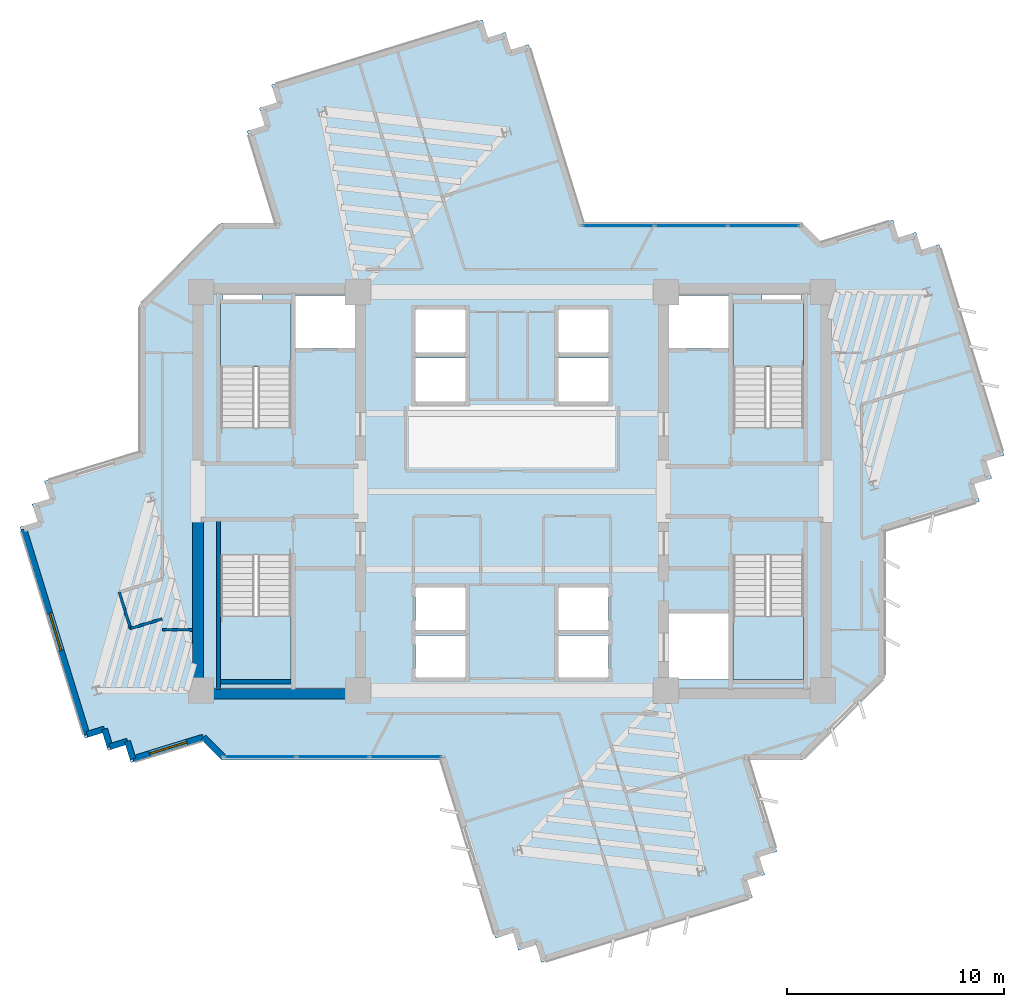
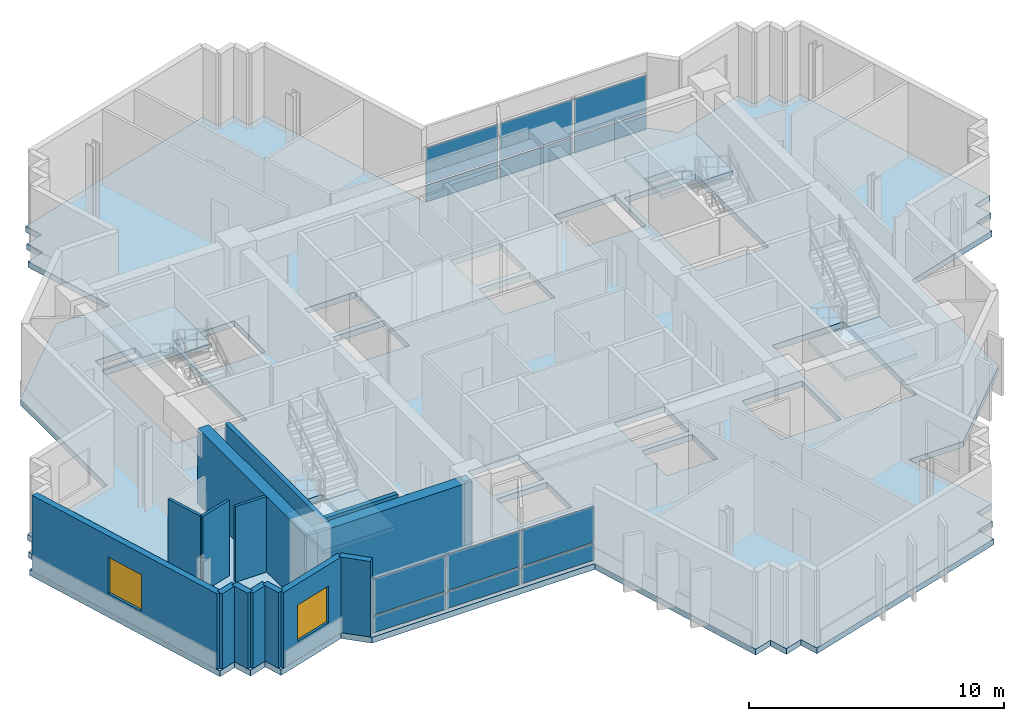
# One storey, part 4 of 13: 14 walls, 12 plates, 5 slabs, 2 windows, 2 openings, 6 elements without a shape of their own.
"""IFC4 building model written with IfcOpenShell, lengths in metres."""

from ifc_helpers import new_model, si_unit, direction, frame, frame_2d, origin, origin_2d, place, context, subcontext, project, spatial, polyline, rectangle, outline, extrude, source, transform, mapped, material, layer, layer_set, type_object, element, fill, aggregate, save


model = new_model("IFC4")

# Units and contexts
model_context = context("Model", 3, precision=1e-05, world=origin(), true_north=direction((0.0, 1.0)))
body_context = subcontext(model_context, "Body", "Model", "MODEL_VIEW")
ifc_project = project(units=[si_unit("LENGTHUNIT", "METRE"), si_unit("AREAUNIT", "SQUARE_METRE"), si_unit("VOLUMEUNIT", "CUBIC_METRE"), si_unit("PLANEANGLEUNIT", "RADIAN"), si_unit("MASSUNIT", "GRAM", prefix="KILO")], contexts=[model_context])

# Site, building, storey
site_placement = place(None, origin())
site = spatial("IfcSite", under=ifc_project, at=site_placement, CompositionType="ELEMENT")
building_placement = place(site_placement, origin())
building = spatial("IfcBuilding", under=site, at=building_placement, Name="Zahravan Cultural Tower", CompositionType="ELEMENT")
storey_placement = place(building_placement, frame((0.0, 0.0, 213.60009765625)))
storey = spatial("IfcBuildingStorey", under=building, at=storey_placement, Name="L50", CompositionType="ELEMENT", Elevation=213.60009765625)

# Slab
ifc_material_1 = material(Name="Concrete C45/55", Category="concrete")
ifc_layer_1 = layer(ifc_material_1, 0.280029296875)
ifc_layer_set_1 = layer_set([ifc_layer_1], Name="Concrete C45/55")
slab_type_1 = type_object("IfcSlabType", Name="SL-LIB-280", PredefinedType="FLOOR", material=ifc_layer_set_1)
slab_1_placement = place(storey_placement, frame((0.0, 0.0, -0.280029296875)))
element("IfcSlab", 1, at=slab_1_placement, inside=storey, type_object=slab_type_1, Name="L50 Structural Floor Slab", PredefinedType="FLOOR", context=body_context, shape_type="SweptSolid", body=[
    extrude(outline(polyline([(50.28955078125, 38.510498046875), (49.39990234375, 39.39990234375), (39.2998046875, 39.39990234375), (36.765625, 47.637451171875), (35.953125, 47.387451171875), (35.703125, 48.199951171875), (34.890869140625, 47.949951171875), (34.640869140625, 48.762451171875), (24.891845703125, 45.76318359375), (25.1416015625, 44.95068359375), (24.329345703125, 44.70068359375), (24.5791015625, 43.888427734375), (23.766845703125, 43.638427734375), (25.07080078125, 39.39990234375), (22.60009765625, 39.39990234375), (18.800048828125, 35.60009765625), (18.800048828125, 28.822998046875), (14.40673828125, 27.4716796875), (14.65673828125, 26.6591796875), (13.84423828125, 26.4091796875), (14.09423828125, 25.5966796875), (13.28173828125, 25.3466796875), (16.281005859375, 15.597900390625), (17.093505859375, 15.84765625), (17.343505859375, 15.035400390625), (18.15576171875, 15.28515625), (18.40576171875, 14.472900390625), (21.71044921875, 15.489501953125), (22.60009765625, 14.60009765625), (32.7001953125, 14.60009765625), (35.234375, 6.362548828125), (36.046875, 6.612548828125), (36.296875, 5.800048828125), (37.109130859375, 6.050048828125), (37.359130859375, 5.237548828125), (47.108154296875, 8.23681640625), (46.8583984375, 9.04931640625), (47.670654296875, 9.29931640625), (47.4208984375, 10.111572265625), (48.233154296875, 10.361572265625), (46.92919921875, 14.60009765625), (49.39990234375, 14.60009765625), (53.199951171875, 18.39990234375), (53.199951171875, 25.177001953125), (57.59326171875, 26.5283203125), (57.34326171875, 27.3408203125), (58.15576171875, 27.5908203125), (57.90576171875, 28.4033203125), (58.71826171875, 28.6533203125), (55.718994140625, 38.402099609375), (54.906494140625, 38.15234375), (54.656494140625, 38.964599609375), (53.84423828125, 38.71484375), (53.59423828125, 39.527099609375), (50.28955078125, 38.510498046875)]), holes=[polyline([(22.550048828125, 29.949951171875), (22.550048828125, 35.699951171875), (25.800048828125, 35.699951171875), (25.800048828125, 29.949951171875), (22.550048828125, 29.949951171875)]), polyline([(22.550048828125, 18.300048828125), (22.550048828125, 24.050048828125), (25.800048828125, 24.050048828125), (25.800048828125, 18.300048828125), (22.550048828125, 18.300048828125)]), polyline([(46.199951171875, 29.949951171875), (46.199951171875, 35.699951171875), (49.449951171875, 35.699951171875), (49.449951171875, 29.949951171875), (46.199951171875, 29.949951171875)]), polyline([(46.199951171875, 18.300048828125), (46.199951171875, 24.050048828125), (49.449951171875, 24.050048828125), (49.449951171875, 18.300048828125), (46.199951171875, 18.300048828125)]), polyline([(26.0, 33.60009765625), (26.0, 36.050048828125), (28.75, 36.050048828125), (28.75, 33.60009765625), (26.0, 33.60009765625)]), polyline([(43.25, 33.60009765625), (43.25, 36.050048828125), (46.0, 36.050048828125), (46.0, 33.60009765625), (43.25, 33.60009765625)]), polyline([(43.25, 18.300048828125), (43.25, 21.35009765625), (46.0, 21.35009765625), (46.0, 18.300048828125), (43.25, 18.300048828125)]), polyline([(31.550048828125, 33.39990234375), (31.550048828125, 35.39990234375), (33.85009765625, 35.39990234375), (33.85009765625, 33.39990234375), (31.550048828125, 33.39990234375)]), polyline([(31.550048828125, 31.14990234375), (31.550048828125, 33.14990234375), (33.85009765625, 33.14990234375), (33.85009765625, 31.14990234375), (31.550048828125, 31.14990234375)]), polyline([(38.14990234375, 33.39990234375), (38.14990234375, 35.39990234375), (40.449951171875, 35.39990234375), (40.449951171875, 33.39990234375), (38.14990234375, 33.39990234375)]), polyline([(38.14990234375, 31.14990234375), (38.14990234375, 33.14990234375), (40.449951171875, 33.14990234375), (40.449951171875, 31.14990234375), (38.14990234375, 31.14990234375)]), polyline([(31.550048828125, 20.60009765625), (31.550048828125, 22.550048828125), (33.85009765625, 22.550048828125), (33.85009765625, 20.60009765625), (31.550048828125, 20.60009765625)]), polyline([(31.550048828125, 18.39990234375), (31.550048828125, 20.35009765625), (33.85009765625, 20.35009765625), (33.85009765625, 18.39990234375), (31.550048828125, 18.39990234375)]), polyline([(38.14990234375, 20.60009765625), (38.14990234375, 22.550048828125), (40.449951171875, 22.550048828125), (40.449951171875, 20.60009765625), (38.14990234375, 20.60009765625)]), polyline([(38.14990234375, 18.39990234375), (38.14990234375, 20.35009765625), (40.449951171875, 20.35009765625), (40.449951171875, 18.39990234375), (38.14990234375, 18.39990234375)]), polyline([(22.64990234375, 35.800048828125), (22.64990234375, 36.419921875), (24.449951171875, 36.419921875), (24.449951171875, 35.800048828125), (22.64990234375, 35.800048828125)]), polyline([(47.550048828125, 35.800048828125), (47.550048828125, 36.419921875), (49.35009765625, 36.419921875), (49.35009765625, 35.800048828125), (47.550048828125, 35.800048828125)])]), origin(), (0.0, 0.0, 1.0), 0.280029296875),
])

# Stair, slab
stair_type = type_object("IfcStairType", Name="STR-DL-1550-390", PredefinedType="HALF_TURN_STAIR", material=ifc_material_1)
stair_1_placement = place(storey_placement, origin())
stair_1 = element("IfcStair", 2, at=stair_1_placement, inside=storey, type_object=stair_type, Name="L50 West Core North Exit Stair ST-W1", PredefinedType="HALF_TURN_STAIR")
ifc_layer_2 = layer(ifc_material_1, 0.199951171875)
ifc_layer_set_2 = layer_set([ifc_layer_2], Name="Concrete C45/55")
slab_type_2 = type_object("IfcSlabType", Name="SL-STAIR-LND200", PredefinedType="LANDING", material=ifc_layer_set_2)
slab_2_placement = place(storey_placement, frame((0.0, 0.0, 1.75)))
slab_2 = element("IfcSlab", 3, at=slab_2_placement, type_object=slab_type_2, Name="ST-W1 landing 1", PredefinedType="LANDING", context=body_context, shape_type="SweptSolid", body=[
    extrude(outline(polyline([(25.800048828125, 32.75), (25.800048828125, 35.699951171875), (22.550048828125, 35.699951171875), (22.550048828125, 32.75), (25.800048828125, 32.75)])), origin(), (0.0, 0.0, 1.0), 0.199951171875),
])
aggregate(stair_1, [slab_2])

stair_2_placement = place(storey_placement, origin())
stair_2 = element("IfcStair", 4, at=stair_2_placement, inside=storey, type_object=stair_type, Name="L50 West Core South Exit Stair ST-W2", PredefinedType="HALF_TURN_STAIR")
slab_3_placement = place(storey_placement, frame((0.0, 0.0, 1.75)))
slab_3 = element("IfcSlab", 5, at=slab_3_placement, type_object=slab_type_2, Name="ST-W2 landing 1", PredefinedType="LANDING", context=body_context, shape_type="SweptSolid", body=[
    extrude(outline(polyline([(22.550048828125, 21.25), (22.550048828125, 18.300048828125), (25.800048828125, 18.300048828125), (25.800048828125, 21.25), (22.550048828125, 21.25)])), origin(), (0.0, 0.0, 1.0), 0.199951171875),
])
aggregate(stair_2, [slab_3])

stair_3_placement = place(storey_placement, origin())
stair_3 = element("IfcStair", 6, at=stair_3_placement, inside=storey, type_object=stair_type, Name="L50 East Core North Exit Stair ST-E1", PredefinedType="HALF_TURN_STAIR")
slab_4_placement = place(storey_placement, frame((0.0, 0.0, 1.75)))
slab_4 = element("IfcSlab", 7, at=slab_4_placement, type_object=slab_type_2, Name="ST-E1 landing 1", PredefinedType="LANDING", context=body_context, shape_type="SweptSolid", body=[
    extrude(outline(polyline([(49.449951171875, 32.75), (49.449951171875, 35.699951171875), (46.199951171875, 35.699951171875), (46.199951171875, 32.75), (49.449951171875, 32.75)])), origin(), (0.0, 0.0, 1.0), 0.199951171875),
])
aggregate(stair_3, [slab_4])

stair_4_placement = place(storey_placement, origin())
stair_4 = element("IfcStair", 8, at=stair_4_placement, inside=storey, type_object=stair_type, Name="L50 East Core South Exit Stair ST-E2", PredefinedType="HALF_TURN_STAIR")
slab_5_placement = place(storey_placement, frame((0.0, 0.0, 1.75)))
slab_5 = element("IfcSlab", 9, at=slab_5_placement, type_object=slab_type_2, Name="ST-E2 landing 1", PredefinedType="LANDING", context=body_context, shape_type="SweptSolid", body=[
    extrude(outline(polyline([(46.199951171875, 21.25), (46.199951171875, 18.300048828125), (49.449951171875, 18.300048828125), (49.449951171875, 21.25), (46.199951171875, 21.25)])), origin(), (0.0, 0.0, 1.0), 0.199951171875),
])
aggregate(stair_4, [slab_5])

# Curtain wall, plates
ifc_material_2 = material(Name="Anodised bronze-aluminium mullion", Category="aluminium")
ifc_layer_3 = layer(ifc_material_2, 0.219970703125)
ifc_layer_set_3 = layer_set([ifc_layer_3], Name="Anodised bronze-aluminium mullion")
curtain_wall_type_1 = type_object("IfcCurtainWallType", Name="CW-SYS-1", PredefinedType="USERDEFINED", material=ifc_layer_set_3)
curtain_wall_1_placement = place(storey_placement, origin())
curtain_wall_1 = element("IfcCurtainWall", 10, at=curtain_wall_1_placement, inside=storey, type_object=curtain_wall_type_1, Name="L50 Recessed Curtain Wall CW-1.1", ObjectType="RECESSED GLAZING", PredefinedType="USERDEFINED")
ifc_material_3 = material(Name="Low-E solar-control double glazing", Category="glass")
ifc_layer_4 = layer(ifc_material_3, 0.031982421875)
ifc_layer_set_4 = layer_set([ifc_layer_4], Name="Low-E solar-control double glazing")
plate_type_1 = type_object("IfcPlateType", Name="CWP-CW-1", PredefinedType="CURTAIN_PANEL", material=ifc_layer_set_4)
shared_shape_1 = source(origin(), body_context, "Body", "SweptSolid", [
    extrude(rectangle(XDim=3.261962890625, YDim=0.031982421875, at=origin_2d()), origin(), (0.0, 0.0, 1.0), 0.780029296875),
])
plate_1_placement = place(storey_placement, frame((31.0927734375, 14.739990234375, 0.080078125), z_axis=(0.0, 0.0, 1.0), x_axis=(-1.0, 0.0, 0.0)))
plate_1 = element("IfcPlate", 11, at=plate_1_placement, type_object=plate_type_1, Name="CW-1 panel 1.1", PredefinedType="CURTAIN_PANEL", context=body_context, shape_type="MappedRepresentation", body=[
    mapped(shared_shape_1, transform((0.0, 0.0, 0.0), x_axis=(1.0, 0.0, 0.0), y_axis=(0.0, 1.0, 0.0), z_axis=(0.0, 0.0, 1.0), scale=1.0)),
])
plate_2_placement = place(storey_placement, frame((24.368896484375, 14.739990234375, 0.080078125), z_axis=(0.0, 0.0, 1.0), x_axis=(-1.0, 0.0, 0.0)))
plate_2 = element("IfcPlate", 12, at=plate_2_placement, type_object=plate_type_1, Name="CW-1 panel 3.1", PredefinedType="CURTAIN_PANEL", context=body_context, shape_type="MappedRepresentation", body=[
    mapped(shared_shape_1, transform((0.0, 0.0, 0.0), x_axis=(1.0, 0.0, 0.0), y_axis=(0.0, 1.0, 0.0), z_axis=(0.0, 0.0, 1.0), scale=1.0)),
])
shared_shape_2 = source(origin(), body_context, "Body", "SweptSolid", [
    extrude(rectangle(XDim=3.261962890625, YDim=0.031982421875, at=origin_2d()), origin(), (0.0, 0.0, 1.0), 1.719970703125),
])
plate_3_placement = place(storey_placement, frame((31.0927734375, 14.739990234375, 0.93994140625), z_axis=(0.0, 0.0, 1.0), x_axis=(-1.0, 0.0, 0.0)))
plate_3 = element("IfcPlate", 13, at=plate_3_placement, type_object=plate_type_1, Name="CW-1 panel 1.2", PredefinedType="CURTAIN_PANEL", context=body_context, shape_type="MappedRepresentation", body=[
    mapped(shared_shape_2, transform((0.0, 0.0, 0.0), x_axis=(1.0, 0.0, 0.0), y_axis=(0.0, 1.0, 0.0), z_axis=(0.0, 0.0, 1.0), scale=1.0)),
])
plate_4_placement = place(storey_placement, frame((24.368896484375, 14.739990234375, 0.93994140625), z_axis=(0.0, 0.0, 1.0), x_axis=(-1.0, 0.0, 0.0)))
plate_4 = element("IfcPlate", 14, at=plate_4_placement, type_object=plate_type_1, Name="CW-1 panel 3.2", PredefinedType="CURTAIN_PANEL", context=body_context, shape_type="MappedRepresentation", body=[
    mapped(shared_shape_2, transform((0.0, 0.0, 0.0), x_axis=(1.0, 0.0, 0.0), y_axis=(0.0, 1.0, 0.0), z_axis=(0.0, 0.0, 1.0), scale=1.0)),
])
shared_shape_3 = source(origin(), body_context, "Body", "SweptSolid", [
    extrude(rectangle(XDim=3.3017578125, YDim=0.031982421875, at=origin_2d()), origin(), (0.0, 0.0, 1.0), 0.780029296875),
])
plate_5_placement = place(storey_placement, frame((27.730712890625, 14.739990234375, 0.080078125), z_axis=(0.0, 0.0, 1.0), x_axis=(-1.0, 0.0, 0.0)))
plate_5 = element("IfcPlate", 15, at=plate_5_placement, type_object=plate_type_1, Name="CW-1 panel 2.1", PredefinedType="CURTAIN_PANEL", context=body_context, shape_type="MappedRepresentation", body=[
    mapped(shared_shape_3, transform((0.0, 0.0, 0.0), x_axis=(1.0, 0.0, 0.0), y_axis=(0.0, 1.0, 0.0), z_axis=(0.0, 0.0, 1.0), scale=1.0)),
])
shared_shape_4 = source(origin(), body_context, "Body", "SweptSolid", [
    extrude(rectangle(XDim=3.3017578125, YDim=0.031982421875, at=origin_2d()), origin(), (0.0, 0.0, 1.0), 1.719970703125),
])
plate_6_placement = place(storey_placement, frame((27.730712890625, 14.739990234375, 0.93994140625), z_axis=(0.0, 0.0, 1.0), x_axis=(-1.0, 0.0, 0.0)))
plate_6 = element("IfcPlate", 16, at=plate_6_placement, type_object=plate_type_1, Name="CW-1 panel 2.2", PredefinedType="CURTAIN_PANEL", context=body_context, shape_type="MappedRepresentation", body=[
    mapped(shared_shape_4, transform((0.0, 0.0, 0.0), x_axis=(1.0, 0.0, 0.0), y_axis=(0.0, 1.0, 0.0), z_axis=(0.0, 0.0, 1.0), scale=1.0)),
])
aggregate(curtain_wall_1, [plate_1, plate_3, plate_5, plate_6, plate_2, plate_4])

ifc_layer_5 = layer(ifc_material_2, 0.199951171875)
ifc_layer_set_5 = layer_set([ifc_layer_5], Name="Anodised bronze-aluminium mullion")
curtain_wall_type_2 = type_object("IfcCurtainWallType", Name="CW-SYS-2", PredefinedType="USERDEFINED", material=ifc_layer_set_5)
curtain_wall_2_placement = place(storey_placement, origin())
curtain_wall_2 = element("IfcCurtainWall", 17, at=curtain_wall_2_placement, inside=storey, type_object=curtain_wall_type_2, Name="L50 Recessed Curtain Wall CW-2.2", ObjectType="RECESSED GLAZING", PredefinedType="USERDEFINED")
ifc_layer_6 = layer(ifc_material_3, 0.030029296875)
ifc_layer_set_6 = layer_set([ifc_layer_6], Name="Low-E solar-control double glazing")
plate_type_2 = type_object("IfcPlateType", Name="CWP-CW-2", PredefinedType="CURTAIN_PANEL", material=ifc_layer_set_6)
shared_shape_5 = source(origin(), body_context, "Body", "SweptSolid", [
    extrude(rectangle(XDim=3.269287109375, YDim=0.030029296875, at=origin_2d()), origin(), (0.0, 0.0, 1.0), 0.78759765625),
])
plate_7_placement = place(storey_placement, frame((40.906005859375, 39.260009765625, 0.074951171875), z_axis=(0.0, 0.0, 1.0), x_axis=(1.0, 0.0, 0.0)))
plate_7 = element("IfcPlate", 18, at=plate_7_placement, type_object=plate_type_2, Name="CW-2 panel 1.1", PredefinedType="CURTAIN_PANEL", context=body_context, shape_type="MappedRepresentation", body=[
    mapped(shared_shape_5, transform((0.0, 0.0, 0.0), x_axis=(1.0, 0.0, 0.0), y_axis=(0.0, 1.0, 0.0), z_axis=(0.0, 0.0, 1.0), scale=1.0)),
])
plate_8_placement = place(storey_placement, frame((47.63232421875, 39.260009765625, 0.074951171875), z_axis=(0.0, 0.0, 1.0), x_axis=(1.0, 0.0, 0.0)))
plate_8 = element("IfcPlate", 19, at=plate_8_placement, type_object=plate_type_2, Name="CW-2 panel 3.1", PredefinedType="CURTAIN_PANEL", context=body_context, shape_type="MappedRepresentation", body=[
    mapped(shared_shape_5, transform((0.0, 0.0, 0.0), x_axis=(1.0, 0.0, 0.0), y_axis=(0.0, 1.0, 0.0), z_axis=(0.0, 0.0, 1.0), scale=1.0)),
])
shared_shape_6 = source(origin(), body_context, "Body", "SweptSolid", [
    extrude(rectangle(XDim=3.269287109375, YDim=0.030029296875, at=origin_2d()), origin(), (0.0, 0.0, 1.0), 1.7275390625),
])
plate_9_placement = place(storey_placement, frame((40.906005859375, 39.260009765625, 0.9375), z_axis=(0.0, 0.0, 1.0), x_axis=(1.0, 0.0, 0.0)))
plate_9 = element("IfcPlate", 20, at=plate_9_placement, type_object=plate_type_2, Name="CW-2 panel 1.2", PredefinedType="CURTAIN_PANEL", context=body_context, shape_type="MappedRepresentation", body=[
    mapped(shared_shape_6, transform((0.0, 0.0, 0.0), x_axis=(1.0, 0.0, 0.0), y_axis=(0.0, 1.0, 0.0), z_axis=(0.0, 0.0, 1.0), scale=1.0)),
])
plate_10_placement = place(storey_placement, frame((47.63232421875, 39.260009765625, 0.9375), z_axis=(0.0, 0.0, 1.0), x_axis=(1.0, 0.0, 0.0)))
plate_10 = element("IfcPlate", 21, at=plate_10_placement, type_object=plate_type_2, Name="CW-2 panel 3.2", PredefinedType="CURTAIN_PANEL", context=body_context, shape_type="MappedRepresentation", body=[
    mapped(shared_shape_6, transform((0.0, 0.0, 0.0), x_axis=(1.0, 0.0, 0.0), y_axis=(0.0, 1.0, 0.0), z_axis=(0.0, 0.0, 1.0), scale=1.0)),
])
shared_shape_7 = source(origin(), body_context, "Body", "SweptSolid", [
    extrude(rectangle(XDim=3.306884765625, YDim=0.030029296875, at=origin_2d()), origin(), (0.0, 0.0, 1.0), 0.78759765625),
])
plate_11_placement = place(storey_placement, frame((44.269287109375, 39.260009765625, 0.074951171875), z_axis=(0.0, 0.0, 1.0), x_axis=(1.0, 0.0, 0.0)))
plate_11 = element("IfcPlate", 22, at=plate_11_placement, type_object=plate_type_2, Name="CW-2 panel 2.1", PredefinedType="CURTAIN_PANEL", context=body_context, shape_type="MappedRepresentation", body=[
    mapped(shared_shape_7, transform((0.0, 0.0, 0.0), x_axis=(1.0, 0.0, 0.0), y_axis=(0.0, 1.0, 0.0), z_axis=(0.0, 0.0, 1.0), scale=1.0)),
])
shared_shape_8 = source(origin(), body_context, "Body", "SweptSolid", [
    extrude(rectangle(XDim=3.306884765625, YDim=0.030029296875, at=origin_2d()), origin(), (0.0, 0.0, 1.0), 1.7275390625),
])
plate_12_placement = place(storey_placement, frame((44.269287109375, 39.260009765625, 0.9375), z_axis=(0.0, 0.0, 1.0), x_axis=(1.0, 0.0, 0.0)))
plate_12 = element("IfcPlate", 23, at=plate_12_placement, type_object=plate_type_2, Name="CW-2 panel 2.2", PredefinedType="CURTAIN_PANEL", context=body_context, shape_type="MappedRepresentation", body=[
    mapped(shared_shape_8, transform((0.0, 0.0, 0.0), x_axis=(1.0, 0.0, 0.0), y_axis=(0.0, 1.0, 0.0), z_axis=(0.0, 0.0, 1.0), scale=1.0)),
])
aggregate(curtain_wall_2, [plate_7, plate_9, plate_11, plate_12, plate_8, plate_10])

# Wall, opening, window
ifc_material_4 = material(Name="Precast concrete C40/50", Category="concrete")
ifc_layer_7 = layer(ifc_material_4, 0.280029296875)
ifc_layer_set_7 = layer_set([ifc_layer_7], Name="Precast concrete C40/50")
wall_type_1 = type_object("IfcWallType", Name="EW-TC-280", PredefinedType="SOLIDWALL", material=ifc_layer_set_7)
wall_1_placement = place(storey_placement, frame((21.75, 15.648193359375, 0.0), z_axis=(0.0, 0.0, 1.0), x_axis=(-0.955782111839, -0.294075763519, 0.0)))
wall_1 = element("IfcWall", 24, at=wall_1_placement, inside=storey, type_object=wall_type_1, Name="L50 Exterior Masonry Frame Wall 27", PredefinedType="SOLIDWALL", context=body_context, shape_type="SweptSolid", body=[
    extrude(rectangle(XDim=3.402099609375, YDim=0.280029296875, at=frame_2d((1.701171875, 0.0))), origin(), (0.0, 0.0, 1.0), 3.619873046875),
])
opening_1_placement = place(wall_1_placement, frame((0.801025390625, 0.0, 0.85009765625)))
opening_1 = element("IfcOpeningElement", 25, at=opening_1_placement, cuts=wall_1, Name="Opening WN-02", PredefinedType="OPENING", context=body_context, shape_type="SweptSolid", body=[
    extrude(rectangle(XDim=1.800048828125, YDim=1.75, at=frame_2d((0.89990234375, 0.875))), frame((0.0, 0.14990234375, 0.0), z_axis=(0.0, -1.0, 0.0), x_axis=(1.0, 0.0, 0.0)), (0.0, 0.0, 1.0), 0.300048828125),
])
window_type = type_object("IfcWindowType", Name="WN-REC-1800X1750", PartitioningType="DOUBLE_PANEL_VERTICAL", PredefinedType="WINDOW", material=ifc_material_3)
shared_shape_9 = source(origin(), body_context, "Body", "SweptSolid", [
    extrude(rectangle(XDim=1.800048828125, YDim=1.75, at=frame_2d((0.89990234375, 0.875))), frame((0.0, 0.030029296875, 0.0), z_axis=(0.0, -1.0, 0.0), x_axis=(1.0, 0.0, 0.0)), (0.0, 0.0, 1.0), 0.06005859375),
])
window_1_placement = place(opening_1_placement, origin())
window_1 = element("IfcWindow", 26, at=window_1_placement, inside=storey, type_object=window_type, Name="L50 Recessed Solar Window 06", OverallHeight=1.75, OverallWidth=1.800048828125, PartitioningType="DOUBLE_PANEL_VERTICAL", PredefinedType="WINDOW", context=body_context, shape_type="MappedRepresentation", body=[
    mapped(shared_shape_9, transform((0.0, 0.0, 0.0), x_axis=(1.0, 0.0, 0.0), y_axis=(0.0, 1.0, 0.0), z_axis=(0.0, 0.0, 1.0), scale=1.0)),
])
fill(opening_1, window_1)

wall_2_placement = place(storey_placement, frame((16.37353515625, 15.772705078125, 0.0), z_axis=(0.0, 0.0, 1.0), x_axis=(-0.294028777175, 0.955796567368, 0.0)))
wall_2 = element("IfcWall", 27, at=wall_2_placement, inside=storey, type_object=wall_type_1, Name="L50 Exterior Masonry Frame Wall 32", PredefinedType="SOLIDWALL", context=body_context, shape_type="SweptSolid", body=[
    extrude(rectangle(XDim=9.919921875, YDim=0.280029296875, at=frame_2d((4.9599609375, 0.0))), origin(), (0.0, 0.0, 1.0), 3.619873046875),
])
opening_2_placement = place(wall_2_placement, frame((4.06005859375, 0.0, 0.85009765625)))
opening_2 = element("IfcOpeningElement", 28, at=opening_2_placement, cuts=wall_2, Name="Opening WN-02", PredefinedType="OPENING", context=body_context, shape_type="SweptSolid", body=[
    extrude(rectangle(XDim=1.800048828125, YDim=1.75, at=frame_2d((0.89990234375, 0.875))), frame((0.0, 0.14990234375, 0.0), z_axis=(0.0, -1.0, 0.0), x_axis=(1.0, 0.0, 0.0)), (0.0, 0.0, 1.0), 0.300048828125),
])
window_2_placement = place(opening_2_placement, origin())
window_2 = element("IfcWindow", 29, at=window_2_placement, inside=storey, type_object=window_type, Name="L50 Recessed Solar Window 07", OverallHeight=1.75, OverallWidth=1.800048828125, PartitioningType="DOUBLE_PANEL_VERTICAL", PredefinedType="WINDOW", context=body_context, shape_type="MappedRepresentation", body=[
    mapped(shared_shape_9, transform((0.0, 0.0, 0.0), x_axis=(1.0, 0.0, 0.0), y_axis=(0.0, 1.0, 0.0), z_axis=(0.0, 0.0, 1.0), scale=1.0)),
])
fill(opening_2, window_2)

# Walls
ifc_material_5 = material(Name="Concrete C60/75", Category="concrete")
ifc_layer_8 = layer(ifc_material_5, 0.5)
ifc_layer_set_8 = layer_set([ifc_layer_8], Name="Concrete C60/75")
wall_type_2 = type_object("IfcWallType", Name="CW-SHEAR-500-C60", PredefinedType="SHEAR", material=ifc_layer_set_8)
shared_shape_10 = source(origin(), body_context, "Body", "SweptSolid", [
    extrude(rectangle(XDim=8.550048828125, YDim=0.5, at=frame_2d((4.27490234375, 0.0))), origin(), (0.0, 0.0, 1.0), 3.619873046875),
])
wall_3_placement = place(storey_placement, frame((21.5, 17.39990234375, 0.0), z_axis=(0.0, 0.0, 1.0), x_axis=(0.0, 1.0, 0.0)))
element("IfcWall", 30, at=wall_3_placement, inside=storey, type_object=wall_type_2, Name="L50 Core Shear Wall CW-W-WS-L50", PredefinedType="SHEAR", context=body_context, shape_type="MappedRepresentation", body=[
    mapped(shared_shape_10, transform((0.0, 0.0, 0.0), x_axis=(1.0, 0.0, 0.0), y_axis=(0.0, 1.0, 0.0), z_axis=(0.0, 0.0, 1.0), scale=1.0)),
])
shared_shape_11 = source(origin(), body_context, "Body", "SweptSolid", [
    extrude(rectangle(XDim=7.0, YDim=0.5, at=frame_2d((3.5, 0.0))), origin(), (0.0, 0.0, 1.0), 3.619873046875),
])
wall_4_placement = place(storey_placement, frame((21.75, 17.64990234375, 0.0), z_axis=(0.0, 0.0, 1.0), x_axis=(1.0, 0.0, 0.0)))
element("IfcWall", 31, at=wall_4_placement, inside=storey, type_object=wall_type_2, Name="L50 Core Shear Wall CW-W-S-L50", PredefinedType="SHEAR", context=body_context, shape_type="MappedRepresentation", body=[
    mapped(shared_shape_11, transform((0.0, 0.0, 0.0), x_axis=(1.0, 0.0, 0.0), y_axis=(0.0, 1.0, 0.0), z_axis=(0.0, 0.0, 1.0), scale=1.0)),
])
shared_shape_12 = source(origin(), body_context, "Body", "SweptSolid", [
    extrude(rectangle(XDim=0.85009765625, YDim=0.280029296875, at=frame_2d((0.425048828125, 0.0))), origin(), (0.0, 0.0, 1.0), 3.619873046875),
])
for number, where, z_axis, x_axis, name in (
    (32, (18.498291015625, 14.647705078125, 0.0), (0.0, 0.0, 1.0), (-0.293823460726, 0.955859704102, 0.0), "L50 Exterior Masonry Frame Wall 28"),
    (33, (18.24853515625, 15.460205078125, 0.0), (0.0, 0.0, 1.0), (-0.955779008722, -0.294085848838, 0.0), "L50 Exterior Masonry Frame Wall 29"),
    (34, (17.43603515625, 15.210205078125, 0.0), (0.0, 0.0, 1.0), (-0.294085848838, 0.955779008722, 0.0), "L50 Exterior Masonry Frame Wall 30"),
    (35, (17.18603515625, 16.022705078125, 0.0), (0.0, 0.0, 1.0), (-0.955779008722, -0.294085848838, 0.0), "L50 Exterior Masonry Frame Wall 31"),
):
    element("IfcWall", number, at=place(storey_placement, frame(where, z_axis=z_axis, x_axis=x_axis)), inside=storey, type_object=wall_type_1, Name=name, PredefinedType="SOLIDWALL", context=body_context, shape_type="MappedRepresentation", body=[
        mapped(shared_shape_12, transform((0.0, 0.0, 0.0), x_axis=(1.0, 0.0, 0.0), y_axis=(0.0, 1.0, 0.0), z_axis=(0.0, 0.0, 1.0), scale=1.0)),
    ])
shared_shape_13 = source(origin(), body_context, "Body", "SweptSolid", [
    extrude(rectangle(XDim=1.2841796875, YDim=0.280029296875, at=frame_2d((0.64208984375, 0.0))), origin(), (0.0, 0.0, 1.0), 3.619873046875),
])
wall_5_placement = place(storey_placement, frame((22.657958984375, 14.739990234375, 0.0), z_axis=(0.0, 0.0, 1.0), x_axis=(-0.707011720788, 0.707201828807, 0.0)))
element("IfcWall", 36, at=wall_5_placement, inside=storey, type_object=wall_type_1, Name="L50 Exterior Masonry Frame Wall 26", PredefinedType="SOLIDWALL", context=body_context, shape_type="MappedRepresentation", body=[
    mapped(shared_shape_13, transform((0.0, 0.0, 0.0), x_axis=(1.0, 0.0, 0.0), y_axis=(0.0, 1.0, 0.0), z_axis=(0.0, 0.0, 1.0), scale=1.0)),
])
ifc_layer_9 = layer(ifc_material_1, 0.199951171875)
ifc_layer_set_9 = layer_set([ifc_layer_9], Name="Concrete C45/55")
wall_type_3 = type_object("IfcWallType", Name="W-SHAFT-200", PredefinedType="SOLIDWALL", material=ifc_layer_set_9)
shared_shape_14 = source(origin(), body_context, "Body", "SweptSolid", [
    extrude(rectangle(XDim=7.869873046875, YDim=0.199951171875, at=frame_2d((3.93505859375, 0.0))), origin(), (0.0, 0.0, 1.0), 3.619873046875),
])
wall_6_placement = place(storey_placement, frame((22.449951171875, 17.85009765625, 0.0), z_axis=(0.0, 0.0, 1.0), x_axis=(0.0, 1.0, 0.0)))
element("IfcWall", 37, at=wall_6_placement, inside=storey, type_object=wall_type_3, Name="L50 Interior Wall 001", PredefinedType="SOLIDWALL", context=body_context, shape_type="MappedRepresentation", body=[
    mapped(shared_shape_14, transform((0.0, 0.0, 0.0), x_axis=(1.0, 0.0, 0.0), y_axis=(0.0, 1.0, 0.0), z_axis=(0.0, 0.0, 1.0), scale=1.0)),
])
shared_shape_15 = source(origin(), body_context, "Body", "SweptSolid", [
    extrude(rectangle(XDim=3.25, YDim=0.199951171875, at=frame_2d((1.625, 0.0))), origin(), (0.0, 0.0, 1.0), 3.619873046875),
])
wall_7_placement = place(storey_placement, frame((22.550048828125, 18.199951171875, 0.0), z_axis=(0.0, 0.0, 1.0), x_axis=(1.0, 0.0, 0.0)))
element("IfcWall", 38, at=wall_7_placement, inside=storey, type_object=wall_type_3, Name="L50 Interior Wall 019", PredefinedType="SOLIDWALL", context=body_context, shape_type="MappedRepresentation", body=[
    mapped(shared_shape_15, transform((0.0, 0.0, 0.0), x_axis=(1.0, 0.0, 0.0), y_axis=(0.0, 1.0, 0.0), z_axis=(0.0, 0.0, 1.0), scale=1.0)),
])
ifc_material_6 = material(Name="Gypsum plasterboard partition")
ifc_layer_10 = layer(ifc_material_6, 0.125)
ifc_layer_set_10 = layer_set([ifc_layer_10], Name="Gypsum plasterboard partition")
wall_type_4 = type_object("IfcWallType", Name="W-PART-125", PredefinedType="PARTITIONING", material=ifc_layer_set_10)
shared_shape_16 = source(origin(), body_context, "Body", "SweptSolid", [
    extrude(rectangle(XDim=1.753173828125, YDim=0.125, at=frame_2d((0.87646484375, 0.0))), origin(), (0.0, 0.0, 1.0), 3.619873046875),
])
wall_8_placement = place(storey_placement, frame((17.869873046875, 22.339599609375, 0.0), z_axis=(0.0, 0.0, 1.0), x_axis=(0.293704171438, -0.955896364508, 0.0)))
element("IfcWall", 39, at=wall_8_placement, inside=storey, type_object=wall_type_4, Name="L50 Interior Wall 103", PredefinedType="PARTITIONING", context=body_context, shape_type="MappedRepresentation", body=[
    mapped(shared_shape_16, transform((0.0, 0.0, 0.0), x_axis=(1.0, 0.0, 0.0), y_axis=(0.0, 1.0, 0.0), z_axis=(0.0, 0.0, 1.0), scale=1.0)),
])
shared_shape_17 = source(origin(), body_context, "Body", "SweptSolid", [
    extrude(rectangle(XDim=1.53173828125, YDim=0.125, at=frame_2d((0.765869140625, 0.0))), origin(), (0.0, 0.0, 1.0), 3.619873046875),
])
wall_9_placement = place(storey_placement, frame((18.384765625, 20.663818359375, 0.0), z_axis=(0.0, 0.0, 1.0), x_axis=(0.95646903586, 0.291833828472, 0.0)))
element("IfcWall", 40, at=wall_9_placement, inside=storey, type_object=wall_type_4, Name="L50 Interior Wall 104", PredefinedType="PARTITIONING", context=body_context, shape_type="MappedRepresentation", body=[
    mapped(shared_shape_17, transform((0.0, 0.0, 0.0), x_axis=(1.0, 0.0, 0.0), y_axis=(0.0, 1.0, 0.0), z_axis=(0.0, 0.0, 1.0), scale=1.0)),
])
shared_shape_18 = source(origin(), body_context, "Body", "SweptSolid", [
    extrude(rectangle(XDim=1.393310546875, YDim=0.125, at=frame_2d((0.69677734375, 0.0))), origin(), (0.0, 0.0, 1.0), 3.619873046875),
])
wall_10_placement = place(storey_placement, frame((19.851806640625, 20.6025390625, 0.0), z_axis=(0.0, 0.0, 1.0), x_axis=(0.999998464841, -0.001752231409, 0.0)))
element("IfcWall", 41, at=wall_10_placement, inside=storey, type_object=wall_type_4, Name="L50 Interior Wall 105", PredefinedType="PARTITIONING", context=body_context, shape_type="MappedRepresentation", body=[
    mapped(shared_shape_18, transform((0.0, 0.0, 0.0), x_axis=(1.0, 0.0, 0.0), y_axis=(0.0, 1.0, 0.0), z_axis=(0.0, 0.0, 1.0), scale=1.0)),
])

save(model, "model.ifc")
